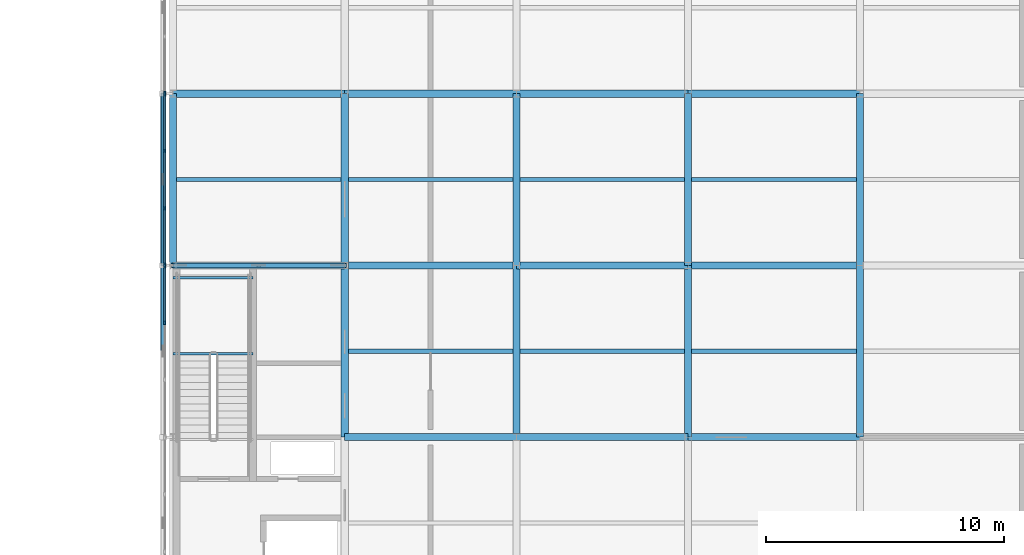
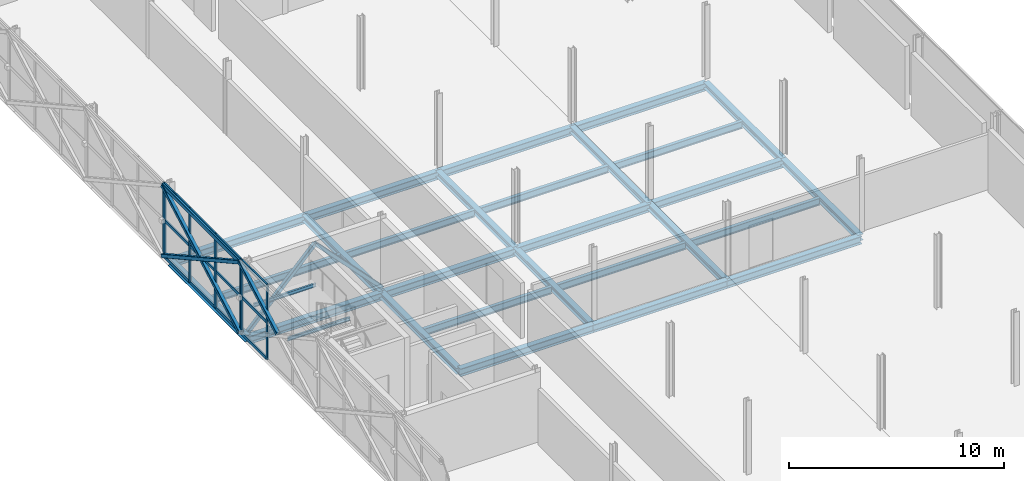
# One storey, part 71 of 146: 29 beams, 26 members, 3 elements without a shape of their own.
"""IFC4 building model written with IfcOpenShell, lengths in metres."""

from ifc_helpers import new_model, si_unit, direction, frame, origin, origin_2d, place, context, subcontext, project, spatial, rectangle, hollow_rectangle, i_section, extrude, material, material_profile, profile_set, type_object, element, aggregate, save


model = new_model("IFC4")

# Units and contexts
model_context = context("Model", 3, precision=1e-05, world=origin(), true_north=direction((0.0, 1.0)))
body_context = subcontext(model_context, "Body", "Model", "MODEL_VIEW")
ifc_project = project(units=[si_unit("LENGTHUNIT", "METRE"), si_unit("AREAUNIT", "SQUARE_METRE"), si_unit("VOLUMEUNIT", "CUBIC_METRE"), si_unit("PLANEANGLEUNIT", "RADIAN"), si_unit("MASSUNIT", "GRAM", prefix="KILO")], contexts=[model_context])

# Site, building, storey
site_placement = place(None, origin())
site = spatial("IfcSite", under=ifc_project, at=site_placement, CompositionType="ELEMENT")
building_placement = place(site_placement, origin())
building = spatial("IfcBuilding", under=site, at=building_placement, Name="Zlatovets Crest Museum", CompositionType="ELEMENT")
storey_placement = place(building_placement, frame((0.0, 0.0, 4.5)))
storey = spatial("IfcBuildingStorey", under=building, at=storey_placement, Name="L01", CompositionType="ELEMENT", Elevation=4.5)

# Beams
ifc_material_1 = material(Name="Structural steel S355J2", Category="steel")
ifc_material_profile_1 = material_profile(ifc_material_1, i_section(OverallWidth=0.300048828125, OverallDepth=0.35009765625, WebThickness=0.010009765625, FlangeThickness=0.017578125, FilletRadius=0.027099609375, at=origin_2d()), Name="HEA 360")
ifc_profile_set_1 = profile_set([ifc_material_profile_1], Name="Structural steel S355J2")
beam_type_1 = type_object("IfcBeamType", Name="Beam_B-03", PredefinedType="BEAM", material=ifc_profile_set_1)
beam_1_placement = place(storey_placement, frame((129.60009765625, 50.39990234375, -0.39501953125), z_axis=(0.0, 1.0, 0.0), x_axis=(-1.0, 0.0, 0.0)))
element("IfcBeam", 1, at=beam_1_placement, inside=storey, type_object=beam_type_1, Name="V5 L01 Grid Beam B-03", PredefinedType="BEAM", context=body_context, shape_type="SweptSolid", body=[
    extrude(i_section(OverallWidth=0.300048828125, OverallDepth=0.35009765625, WebThickness=0.010009765625, FlangeThickness=0.017578125, FilletRadius=0.027099609375, at=origin_2d()), origin(), (0.0, 0.0, 1.0), 7.2001953125),
])
beam_2_placement = place(storey_placement, frame((136.800048828125, 43.199951171875, -0.39501953125), z_axis=(0.0, 1.0, 0.0), x_axis=(-1.0, 0.0, 0.0)))
element("IfcBeam", 2, at=beam_2_placement, inside=storey, type_object=beam_type_1, Name="V5 L01 Grid Beam B-03", PredefinedType="BEAM", context=body_context, shape_type="SweptSolid", body=[
    extrude(i_section(OverallWidth=0.300048828125, OverallDepth=0.35009765625, WebThickness=0.010009765625, FlangeThickness=0.017578125, FilletRadius=0.027099609375, at=origin_2d()), origin(), (0.0, 0.0, 1.0), 7.199951171875),
])
beam_3_placement = place(storey_placement, frame((136.800048828125, 50.39990234375, -0.39501953125), z_axis=(0.0, 1.0, 0.0), x_axis=(-1.0, 0.0, 0.0)))
element("IfcBeam", 3, at=beam_3_placement, inside=storey, type_object=beam_type_1, Name="V5 L01 Grid Beam B-03", PredefinedType="BEAM", context=body_context, shape_type="SweptSolid", body=[
    extrude(i_section(OverallWidth=0.300048828125, OverallDepth=0.35009765625, WebThickness=0.010009765625, FlangeThickness=0.017578125, FilletRadius=0.027099609375, at=origin_2d()), origin(), (0.0, 0.0, 1.0), 7.2001953125),
])
beam_4_placement = place(storey_placement, frame((144.0, 43.199951171875, -0.39501953125), z_axis=(0.0, 1.0, 0.0), x_axis=(-1.0, 0.0, 0.0)))
element("IfcBeam", 4, at=beam_4_placement, inside=storey, type_object=beam_type_1, Name="V5 L01 Grid Beam B-03", PredefinedType="BEAM", context=body_context, shape_type="SweptSolid", body=[
    extrude(i_section(OverallWidth=0.300048828125, OverallDepth=0.35009765625, WebThickness=0.010009765625, FlangeThickness=0.017578125, FilletRadius=0.027099609375, at=origin_2d()), origin(), (0.0, 0.0, 1.0), 7.199951171875),
])
beam_5_placement = place(storey_placement, frame((144.0, 50.39990234375, -0.39501953125), z_axis=(0.0, 1.0, 0.0), x_axis=(-1.0, 0.0, 0.0)))
element("IfcBeam", 5, at=beam_5_placement, inside=storey, type_object=beam_type_1, Name="V5 L01 Grid Beam B-03", PredefinedType="BEAM", context=body_context, shape_type="SweptSolid", body=[
    extrude(i_section(OverallWidth=0.300048828125, OverallDepth=0.35009765625, WebThickness=0.010009765625, FlangeThickness=0.017578125, FilletRadius=0.027099609375, at=origin_2d()), origin(), (0.0, 0.0, 1.0), 7.2001953125),
])
beam_6_placement = place(storey_placement, frame((151.199951171875, 43.199951171875, -0.39501953125), z_axis=(0.0, 1.0, 0.0), x_axis=(-1.0, 0.0, 0.0)))
element("IfcBeam", 6, at=beam_6_placement, inside=storey, type_object=beam_type_1, Name="V5 L01 Grid Beam B-03", PredefinedType="BEAM", context=body_context, shape_type="SweptSolid", body=[
    extrude(i_section(OverallWidth=0.300048828125, OverallDepth=0.35009765625, WebThickness=0.010009765625, FlangeThickness=0.017578125, FilletRadius=0.027099609375, at=origin_2d()), origin(), (0.0, 0.0, 1.0), 7.199951171875),
])
beam_7_placement = place(storey_placement, frame((151.199951171875, 50.39990234375, -0.39501953125), z_axis=(0.0, 1.0, 0.0), x_axis=(-1.0, 0.0, 0.0)))
element("IfcBeam", 7, at=beam_7_placement, inside=storey, type_object=beam_type_1, Name="V5 L01 Grid Beam B-03", PredefinedType="BEAM", context=body_context, shape_type="SweptSolid", body=[
    extrude(i_section(OverallWidth=0.300048828125, OverallDepth=0.35009765625, WebThickness=0.010009765625, FlangeThickness=0.017578125, FilletRadius=0.027099609375, at=origin_2d()), origin(), (0.0, 0.0, 1.0), 7.2001953125),
])
beam_8_placement = place(storey_placement, frame((158.39990234375, 43.199951171875, -0.39501953125), z_axis=(0.0, 1.0, 0.0), x_axis=(-1.0, 0.0, 0.0)))
element("IfcBeam", 8, at=beam_8_placement, inside=storey, type_object=beam_type_1, Name="V5 L01 Grid Beam B-03", PredefinedType="BEAM", context=body_context, shape_type="SweptSolid", body=[
    extrude(i_section(OverallWidth=0.300048828125, OverallDepth=0.35009765625, WebThickness=0.010009765625, FlangeThickness=0.017578125, FilletRadius=0.027099609375, at=origin_2d()), origin(), (0.0, 0.0, 1.0), 7.199951171875),
])
beam_9_placement = place(storey_placement, frame((158.39990234375, 50.39990234375, -0.39501953125), z_axis=(0.0, 1.0, 0.0), x_axis=(-1.0, 0.0, 0.0)))
element("IfcBeam", 9, at=beam_9_placement, inside=storey, type_object=beam_type_1, Name="V5 L01 Grid Beam B-03", PredefinedType="BEAM", context=body_context, shape_type="SweptSolid", body=[
    extrude(i_section(OverallWidth=0.300048828125, OverallDepth=0.35009765625, WebThickness=0.010009765625, FlangeThickness=0.017578125, FilletRadius=0.027099609375, at=origin_2d()), origin(), (0.0, 0.0, 1.0), 7.2001953125),
])
ifc_material_profile_2 = material_profile(ifc_material_1, i_section(OverallWidth=0.300048828125, OverallDepth=0.43994140625, WebThickness=0.011474609375, FlangeThickness=0.02099609375, FilletRadius=0.027099609375, at=origin_2d()), Name="HEA 450")
ifc_profile_set_2 = profile_set([ifc_material_profile_2], Name="Structural steel S355J2")
beam_type_2 = type_object("IfcBeamType", Name="Beam_B-10", PredefinedType="BEAM", material=ifc_profile_set_2)
for number, where, z_axis, x_axis, name in (
    (10, (136.800048828125, 43.199951171875, -0.43994140625), (1.0, 0.0, 0.0), (0.0, 1.0, 0.0), "V5 L01 Primary Girder B-10"),
    (11, (144.0, 43.199951171875, -0.43994140625), (1.0, 0.0, 0.0), (0.0, 1.0, 0.0), "V5 L01 Primary Girder B-10"),
    (12, (151.199951171875, 43.199951171875, -0.43994140625), (1.0, 0.0, 0.0), (0.0, 1.0, 0.0), "V5 L01 Primary Girder B-10"),
    (13, (129.60009765625, 50.39990234375, -0.43994140625), (1.0, 0.0, 0.0), (0.0, 1.0, 0.0), "V5 L01 Primary Girder B-10"),
    (14, (136.800048828125, 50.39990234375, -0.43994140625), (1.0, 0.0, 0.0), (0.0, 1.0, 0.0), "V5 L01 Primary Girder B-10"),
    (15, (144.0, 50.39990234375, -0.43994140625), (1.0, 0.0, 0.0), (0.0, 1.0, 0.0), "V5 L01 Primary Girder B-10"),
    (16, (151.199951171875, 50.39990234375, -0.43994140625), (1.0, 0.0, 0.0), (0.0, 1.0, 0.0), "V5 L01 Primary Girder B-10"),
    (17, (129.60009765625, 57.60009765625, -0.43994140625), (1.0, 0.0, 0.0), (0.0, 1.0, 0.0), "V5 L01 Primary Girder B-10"),
    (18, (136.800048828125, 57.60009765625, -0.43994140625), (1.0, 0.0, 0.0), (0.0, 1.0, 0.0), "V5 L01 Primary Girder B-10"),
    (19, (144.0, 57.60009765625, -0.43994140625), (1.0, 0.0, 0.0), (0.0, 1.0, 0.0), "V5 L01 Primary Girder B-10"),
    (20, (151.199951171875, 57.60009765625, -0.43994140625), (1.0, 0.0, 0.0), (0.0, 1.0, 0.0), "V5 L01 Primary Girder B-10"),
):
    element("IfcBeam", number, at=place(storey_placement, frame(where, z_axis=z_axis, x_axis=x_axis)), inside=storey, type_object=beam_type_2, Name=name, PredefinedType="BEAM", context=body_context, shape_type="SweptSolid", body=[
        extrude(i_section(OverallWidth=0.300048828125, OverallDepth=0.43994140625, WebThickness=0.011474609375, FlangeThickness=0.02099609375, FilletRadius=0.027099609375, at=origin_2d()), origin(), (0.0, 0.0, 1.0), 7.199951171875),
    ])
ifc_material_profile_3 = material_profile(ifc_material_1, i_section(OverallWidth=0.179931640625, OverallDepth=0.39990234375, WebThickness=0.008544921875, FlangeThickness=0.013427734375, FilletRadius=0.02099609375, at=origin_2d()), Name="IPE 400")
ifc_profile_set_3 = profile_set([ifc_material_profile_3], Name="Structural steel S355J2")
beam_type_3 = type_object("IfcBeamType", Name="Beam_J-04", PredefinedType="JOIST", material=ifc_profile_set_3)
beam_10_placement = place(storey_placement, frame((129.75, 54.0, -0.419921875), z_axis=(1.0, 0.0, 0.0), x_axis=(0.0, 1.0, 0.0)))
element("IfcBeam", 21, at=beam_10_placement, inside=storey, type_object=beam_type_3, Name="V5 L01 Composite Joist J-04", PredefinedType="JOIST", context=body_context, shape_type="SweptSolid", body=[
    extrude(i_section(OverallWidth=0.179931640625, OverallDepth=0.39990234375, WebThickness=0.008544921875, FlangeThickness=0.013427734375, FilletRadius=0.02099609375, at=origin_2d()), origin(), (0.0, 0.0, 1.0), 6.89990234375),
])
for number, where, z_axis, x_axis, name in (
    (22, (136.949951171875, 46.800048828125, -0.419921875), (1.0, 0.0, 0.0), (0.0, 1.0, 0.0), "V5 L01 Composite Joist J-04"),
    (23, (136.949951171875, 54.0, -0.419921875), (1.0, 0.0, 0.0), (0.0, 1.0, 0.0), "V5 L01 Composite Joist J-04"),
    (24, (144.14990234375, 46.800048828125, -0.419921875), (1.0, 0.0, 0.0), (0.0, 1.0, 0.0), "V5 L01 Composite Joist J-04"),
    (25, (144.14990234375, 54.0, -0.419921875), (1.0, 0.0, 0.0), (0.0, 1.0, 0.0), "V5 L01 Composite Joist J-04"),
):
    element("IfcBeam", number, at=place(storey_placement, frame(where, z_axis=z_axis, x_axis=x_axis)), inside=storey, type_object=beam_type_3, Name=name, PredefinedType="JOIST", context=body_context, shape_type="SweptSolid", body=[
        extrude(i_section(OverallWidth=0.179931640625, OverallDepth=0.39990234375, WebThickness=0.008544921875, FlangeThickness=0.013427734375, FilletRadius=0.02099609375, at=origin_2d()), origin(), (0.0, 0.0, 1.0), 6.900146484375),
    ])
for number, where, z_axis, x_axis, name in (
    (26, (151.35009765625, 46.800048828125, -0.419921875), (1.0, 0.0, 0.0), (0.0, 1.0, 0.0), "V5 L01 Composite Joist J-04"),
    (27, (151.35009765625, 54.0, -0.419921875), (1.0, 0.0, 0.0), (0.0, 1.0, 0.0), "V5 L01 Composite Joist J-04"),
):
    element("IfcBeam", number, at=place(storey_placement, frame(where, z_axis=z_axis, x_axis=x_axis)), inside=storey, type_object=beam_type_3, Name=name, PredefinedType="JOIST", context=body_context, shape_type="SweptSolid", body=[
        extrude(i_section(OverallWidth=0.179931640625, OverallDepth=0.39990234375, WebThickness=0.008544921875, FlangeThickness=0.013427734375, FilletRadius=0.02099609375, at=origin_2d()), origin(), (0.0, 0.0, 1.0), 6.89990234375),
    ])
ifc_material_profile_4 = material_profile(ifc_material_1, i_section(OverallWidth=0.10009765625, OverallDepth=0.199951171875, WebThickness=0.005615234375, FlangeThickness=0.008544921875, FilletRadius=0.011962890625, at=origin_2d()), Name="IPE 200")
ifc_profile_set_4 = profile_set([ifc_material_profile_4], Name="Structural steel S355J2")
beam_type_4 = type_object("IfcBeamType", Name="Beam_PR-02", PredefinedType="LINTEL", material=ifc_profile_set_4)
for number, where, z_axis, x_axis, name in (
    (28, (129.60009765625, 46.699951171875, 1.800048828125), (1.0, 0.0, 0.0), (0.0, 1.0, 0.0), "Core C5 L01 Half-Landing Support Beam"),
    (29, (129.60009765625, 49.8798828125, 1.800048828125), (1.0, 0.0, 0.0), (0.0, 1.0, 0.0), "Core C5 L01 Half-Landing Support Beam"),
):
    element("IfcBeam", number, at=place(storey_placement, frame(where, z_axis=z_axis, x_axis=x_axis)), inside=storey, type_object=beam_type_4, Name=name, PredefinedType="LINTEL", context=body_context, shape_type="SweptSolid", body=[
        extrude(i_section(OverallWidth=0.10009765625, OverallDepth=0.199951171875, WebThickness=0.005615234375, FlangeThickness=0.008544921875, FilletRadius=0.011962890625, at=origin_2d()), origin(), (0.0, 0.0, 1.0), 3.349853515625),
    ])

# Curtain wall, member
ifc_material_2 = material(Name="Bronze-anodised aluminium and low-E triple glass", Category="aluminium")
curtain_wall_type_1 = type_object("IfcCurtainWallType", Name="CW_CW-V5-L01-M3", PredefinedType="NOTDEFINED", material=ifc_material_2)
curtain_wall_1_placement = place(storey_placement, origin())
curtain_wall_1 = element("IfcCurtainWall", 30, at=curtain_wall_1_placement, inside=storey, type_object=curtain_wall_type_1, Name="V5 L01 Secession Foyer Clear Curtain Wall", PredefinedType="NOTDEFINED")
ifc_material_3 = material(Name="Bronze-anodised aluminium EN AW-6060", Category="aluminium")
ifc_material_profile_5 = material_profile(ifc_material_3, rectangle(XDim=0.080078125, YDim=0.159912109375, at=origin_2d()), Name="ALU 80x160")
ifc_profile_set_5 = profile_set([ifc_material_profile_5], Name="Bronze-anodised aluminium EN AW-6060")
member_type_1 = type_object("IfcMemberType", Name="CWMull_M1", PredefinedType="MULLION", material=ifc_profile_set_5)
member_1_placement = place(storey_placement, frame((129.260009765625, 57.6298828125, 0.0), z_axis=(0.0, 0.0, 1.0), x_axis=(1.0, 0.0, 0.0)))
member_1 = element("IfcMember", 31, at=member_1_placement, type_object=member_type_1, Name="CW-V5-L01-M3 mullion 4", PredefinedType="MULLION", context=body_context, shape_type="SweptSolid", body=[
    extrude(rectangle(XDim=0.080078125, YDim=0.159912109375, at=origin_2d()), origin(), (0.0, 0.0, 1.0), 4.199951171875),
])
aggregate(curtain_wall_1, [member_1])

# Curtain wall, members
curtain_wall_type_2 = type_object("IfcCurtainWallType", Name="CW_CW-V5-L01-M0", PredefinedType="NOTDEFINED", material=ifc_material_2)
curtain_wall_2_placement = place(storey_placement, origin())
curtain_wall_2 = element("IfcCurtainWall", 32, at=curtain_wall_2_placement, inside=storey, type_object=curtain_wall_type_2, Name="V5 L01 Secession Foyer Clear Curtain Wall", PredefinedType="NOTDEFINED")
member_2_placement = place(storey_placement, frame((129.260009765625, 57.570068359375, 0.0), z_axis=(0.0, 0.0, 1.0), x_axis=(1.0, 0.0, 0.0)))
member_2 = element("IfcMember", 33, at=member_2_placement, type_object=member_type_1, Name="CW-V5-L01-M0 mullion 1", PredefinedType="MULLION", context=body_context, shape_type="SweptSolid", body=[
    extrude(rectangle(XDim=0.080078125, YDim=0.159912109375, at=origin_2d()), origin(), (0.0, 0.0, 1.0), 4.199951171875),
])
member_3_placement = place(storey_placement, frame((129.260009765625, 55.199951171875, 0.0), z_axis=(0.0, 0.0, 1.0), x_axis=(1.0, 0.0, 0.0)))
member_3 = element("IfcMember", 34, at=member_3_placement, type_object=member_type_1, Name="CW-V5-L01-M0 mullion 2", PredefinedType="MULLION", context=body_context, shape_type="SweptSolid", body=[
    extrude(rectangle(XDim=0.080078125, YDim=0.159912109375, at=origin_2d()), origin(), (0.0, 0.0, 1.0), 4.199951171875),
])
member_4_placement = place(storey_placement, frame((129.260009765625, 52.800048828125, 0.0), z_axis=(0.0, 0.0, 1.0), x_axis=(1.0, 0.0, 0.0)))
member_4 = element("IfcMember", 35, at=member_4_placement, type_object=member_type_1, Name="CW-V5-L01-M0 mullion 3", PredefinedType="MULLION", context=body_context, shape_type="SweptSolid", body=[
    extrude(rectangle(XDim=0.080078125, YDim=0.159912109375, at=origin_2d()), origin(), (0.0, 0.0, 1.0), 4.199951171875),
])
member_5_placement = place(storey_placement, frame((129.260009765625, 50.429931640625, 0.0), z_axis=(0.0, 0.0, 1.0), x_axis=(1.0, 0.0, 0.0)))
member_5 = element("IfcMember", 36, at=member_5_placement, type_object=member_type_1, Name="CW-V5-L01-M0 mullion 4", PredefinedType="MULLION", context=body_context, shape_type="SweptSolid", body=[
    extrude(rectangle(XDim=0.080078125, YDim=0.159912109375, at=origin_2d()), origin(), (0.0, 0.0, 1.0), 4.199951171875),
])

curtain_wall_type_3 = type_object("IfcCurtainWallType", Name="CW_CW-V5-L01-M1", PredefinedType="NOTDEFINED", material=ifc_material_2)
curtain_wall_3_placement = place(storey_placement, origin())
curtain_wall_3 = element("IfcCurtainWall", 37, at=curtain_wall_3_placement, inside=storey, type_object=curtain_wall_type_3, Name="V5 L01 Expressed Core Glazed Facade", PredefinedType="NOTDEFINED")
member_6_placement = place(storey_placement, frame((129.260009765625, 50.3701171875, 0.0), z_axis=(0.0, 0.0, 1.0), x_axis=(1.0, 0.0, 0.0)))
member_6 = element("IfcMember", 38, at=member_6_placement, type_object=member_type_1, Name="CW-V5-L01-M1 mullion 1", PredefinedType="MULLION", context=body_context, shape_type="SweptSolid", body=[
    extrude(rectangle(XDim=0.080078125, YDim=0.159912109375, at=origin_2d()), origin(), (0.0, 0.0, 1.0), 4.199951171875),
])
member_7_placement = place(storey_placement, frame((129.260009765625, 48.0, 0.0), z_axis=(0.0, 0.0, 1.0), x_axis=(1.0, 0.0, 0.0)))
member_7 = element("IfcMember", 39, at=member_7_placement, type_object=member_type_1, Name="CW-V5-L01-M1 mullion 2", PredefinedType="MULLION", context=body_context, shape_type="SweptSolid", body=[
    extrude(rectangle(XDim=0.080078125, YDim=0.159912109375, at=origin_2d()), origin(), (0.0, 0.0, 1.0), 4.199951171875),
])

# Member
ifc_material_profile_6 = material_profile(ifc_material_3, rectangle(XDim=0.080078125, YDim=0.159912109375, at=origin_2d()), Name="ALU 80x160")
ifc_profile_set_6 = profile_set([ifc_material_profile_6], Name="Bronze-anodised aluminium EN AW-6060")
member_type_2 = type_object("IfcMemberType", Name="CWTrans_T1", PredefinedType="USERDEFINED", material=ifc_profile_set_6)
member_8_placement = place(storey_placement, frame((129.260009765625, 57.5400390625, 0.030029296875), z_axis=(0.0, -1.0, 0.0), x_axis=(1.0, 0.0, 0.0)))
member_8 = element("IfcMember", 40, at=member_8_placement, type_object=member_type_2, Name="CW-V5-L01-M0 transom 1.1", ObjectType="TRANSOM", PredefinedType="USERDEFINED", context=body_context, shape_type="SweptSolid", body=[
    extrude(rectangle(XDim=0.080078125, YDim=0.159912109375, at=origin_2d()), origin(), (0.0, 0.0, 1.0), 2.31005859375),
])

member_9_placement = place(storey_placement, frame((129.260009765625, 57.5400390625, 2.10009765625), z_axis=(0.0, -1.0, 0.0), x_axis=(1.0, 0.0, 0.0)))
member_9 = element("IfcMember", 41, at=member_9_placement, type_object=member_type_2, Name="CW-V5-L01-M0 transom 1.2", ObjectType="TRANSOM", PredefinedType="USERDEFINED", context=body_context, shape_type="SweptSolid", body=[
    extrude(rectangle(XDim=0.080078125, YDim=0.159912109375, at=origin_2d()), origin(), (0.0, 0.0, 1.0), 2.31005859375),
])

member_10_placement = place(storey_placement, frame((129.260009765625, 57.5400390625, 4.169921875), z_axis=(0.0, -1.0, 0.0), x_axis=(1.0, 0.0, 0.0)))
member_10 = element("IfcMember", 42, at=member_10_placement, type_object=member_type_2, Name="CW-V5-L01-M0 transom 1.3", ObjectType="TRANSOM", PredefinedType="USERDEFINED", context=body_context, shape_type="SweptSolid", body=[
    extrude(rectangle(XDim=0.080078125, YDim=0.159912109375, at=origin_2d()), origin(), (0.0, 0.0, 1.0), 2.31005859375),
])

member_11_placement = place(storey_placement, frame((129.260009765625, 55.169921875, 0.030029296875), z_axis=(0.0, -1.0, 0.0), x_axis=(1.0, 0.0, 0.0)))
member_11 = element("IfcMember", 43, at=member_11_placement, type_object=member_type_2, Name="CW-V5-L01-M0 transom 2.1", ObjectType="TRANSOM", PredefinedType="USERDEFINED", context=body_context, shape_type="SweptSolid", body=[
    extrude(rectangle(XDim=0.080078125, YDim=0.159912109375, at=origin_2d()), origin(), (0.0, 0.0, 1.0), 2.33984375),
])

member_12_placement = place(storey_placement, frame((129.260009765625, 55.169921875, 2.10009765625), z_axis=(0.0, -1.0, 0.0), x_axis=(1.0, 0.0, 0.0)))
member_12 = element("IfcMember", 44, at=member_12_placement, type_object=member_type_2, Name="CW-V5-L01-M0 transom 2.2", ObjectType="TRANSOM", PredefinedType="USERDEFINED", context=body_context, shape_type="SweptSolid", body=[
    extrude(rectangle(XDim=0.080078125, YDim=0.159912109375, at=origin_2d()), origin(), (0.0, 0.0, 1.0), 2.33984375),
])

member_13_placement = place(storey_placement, frame((129.260009765625, 55.169921875, 4.169921875), z_axis=(0.0, -1.0, 0.0), x_axis=(1.0, 0.0, 0.0)))
member_13 = element("IfcMember", 45, at=member_13_placement, type_object=member_type_2, Name="CW-V5-L01-M0 transom 2.3", ObjectType="TRANSOM", PredefinedType="USERDEFINED", context=body_context, shape_type="SweptSolid", body=[
    extrude(rectangle(XDim=0.080078125, YDim=0.159912109375, at=origin_2d()), origin(), (0.0, 0.0, 1.0), 2.33984375),
])

member_14_placement = place(storey_placement, frame((129.260009765625, 52.77001953125, 0.030029296875), z_axis=(0.0, -1.0, 0.0), x_axis=(1.0, 0.0, 0.0)))
member_14 = element("IfcMember", 46, at=member_14_placement, type_object=member_type_2, Name="CW-V5-L01-M0 transom 3.1", ObjectType="TRANSOM", PredefinedType="USERDEFINED", context=body_context, shape_type="SweptSolid", body=[
    extrude(rectangle(XDim=0.080078125, YDim=0.159912109375, at=origin_2d()), origin(), (0.0, 0.0, 1.0), 2.31005859375),
])

member_15_placement = place(storey_placement, frame((129.260009765625, 52.77001953125, 2.10009765625), z_axis=(0.0, -1.0, 0.0), x_axis=(1.0, 0.0, 0.0)))
member_15 = element("IfcMember", 47, at=member_15_placement, type_object=member_type_2, Name="CW-V5-L01-M0 transom 3.2", ObjectType="TRANSOM", PredefinedType="USERDEFINED", context=body_context, shape_type="SweptSolid", body=[
    extrude(rectangle(XDim=0.080078125, YDim=0.159912109375, at=origin_2d()), origin(), (0.0, 0.0, 1.0), 2.31005859375),
])

member_16_placement = place(storey_placement, frame((129.260009765625, 52.77001953125, 4.169921875), z_axis=(0.0, -1.0, 0.0), x_axis=(1.0, 0.0, 0.0)))
member_16 = element("IfcMember", 48, at=member_16_placement, type_object=member_type_2, Name="CW-V5-L01-M0 transom 3.3", ObjectType="TRANSOM", PredefinedType="USERDEFINED", context=body_context, shape_type="SweptSolid", body=[
    extrude(rectangle(XDim=0.080078125, YDim=0.159912109375, at=origin_2d()), origin(), (0.0, 0.0, 1.0), 2.31005859375),
])

aggregate(curtain_wall_2, [member_2, member_3, member_4, member_5, member_8, member_9, member_10, member_11, member_12, member_13, member_14, member_15, member_16])

member_17_placement = place(storey_placement, frame((129.260009765625, 50.340087890625, 0.030029296875), z_axis=(0.0, -1.0, 0.0), x_axis=(1.0, 0.0, 0.0)))
member_17 = element("IfcMember", 49, at=member_17_placement, type_object=member_type_2, Name="CW-V5-L01-M1 transom 1.1", ObjectType="TRANSOM", PredefinedType="USERDEFINED", context=body_context, shape_type="SweptSolid", body=[
    extrude(rectangle(XDim=0.080078125, YDim=0.159912109375, at=origin_2d()), origin(), (0.0, 0.0, 1.0), 2.31005859375),
])

member_18_placement = place(storey_placement, frame((129.260009765625, 50.340087890625, 2.10009765625), z_axis=(0.0, -1.0, 0.0), x_axis=(1.0, 0.0, 0.0)))
member_18 = element("IfcMember", 50, at=member_18_placement, type_object=member_type_2, Name="CW-V5-L01-M1 transom 1.2", ObjectType="TRANSOM", PredefinedType="USERDEFINED", context=body_context, shape_type="SweptSolid", body=[
    extrude(rectangle(XDim=0.080078125, YDim=0.159912109375, at=origin_2d()), origin(), (0.0, 0.0, 1.0), 2.31005859375),
])

member_19_placement = place(storey_placement, frame((129.260009765625, 50.340087890625, 4.169921875), z_axis=(0.0, -1.0, 0.0), x_axis=(1.0, 0.0, 0.0)))
member_19 = element("IfcMember", 51, at=member_19_placement, type_object=member_type_2, Name="CW-V5-L01-M1 transom 1.3", ObjectType="TRANSOM", PredefinedType="USERDEFINED", context=body_context, shape_type="SweptSolid", body=[
    extrude(rectangle(XDim=0.080078125, YDim=0.159912109375, at=origin_2d()), origin(), (0.0, 0.0, 1.0), 2.31005859375),
])

aggregate(curtain_wall_3, [member_6, member_7, member_17, member_18, member_19])

# Members
ifc_material_4 = material(Name="Weathering bronze-steel S355J2W", Category="steel")
ifc_material_profile_7 = material_profile(ifc_material_4, hollow_rectangle(XDim=0.199951171875, YDim=0.199951171875, WallThickness=0.012451171875, InnerFilletRadius=0.012451171875, OuterFilletRadius=0.02490234375, at=origin_2d()), Name="SHS 200x200x12.5")
ifc_profile_set_7 = profile_set([ifc_material_profile_7], Name="Weathering bronze-steel S355J2W")
member_type_3 = type_object("IfcMemberType", Name="Lattice_XL-02", PredefinedType="BRACE", material=ifc_profile_set_7)
member_20_placement = place(storey_placement, frame((129.179931640625, 57.60009765625, 0.10009765625), z_axis=(0.0, -0.874162868644, 0.485632864501), x_axis=(1.0, 0.0, 0.0)))
element("IfcMember", 52, at=member_20_placement, inside=storey, type_object=member_type_3, Name="Continuous Bronze Lattice Diagonal", PredefinedType="BRACE", context=body_context, shape_type="SweptSolid", body=[
    extrude(hollow_rectangle(XDim=0.199951171875, YDim=0.199951171875, WallThickness=0.012451171875, InnerFilletRadius=0.012451171875, OuterFilletRadius=0.02490234375, at=origin_2d()), origin(), (0.0, 0.0, 1.0), 8.236572265625),
])
for number, where, z_axis, x_axis, name in (
    (53, (129.179931640625, 57.60009765625, 4.10009765625), (0.0, -0.874140102304, -0.485673842763), (1.0, 0.0, 0.0), "Split Crossing Bronze Lattice Diagonal Upper"),
    (54, (129.179931640625, 53.9169921875, 2.053955078125), (0.0, -0.874165862873, -0.485627474703), (1.0, 0.0, 0.0), "Split Crossing Bronze Lattice Diagonal Lower"),
):
    element("IfcMember", number, at=place(storey_placement, frame(where, z_axis=z_axis, x_axis=x_axis)), inside=storey, type_object=member_type_3, Name=name, PredefinedType="BRACE", context=body_context, shape_type="SweptSolid", body=[
        extrude(hollow_rectangle(XDim=0.199951171875, YDim=0.199951171875, WallThickness=0.012451171875, InnerFilletRadius=0.012451171875, OuterFilletRadius=0.02490234375, at=origin_2d()), origin(), (0.0, 0.0, 1.0), 4.0234375),
    ])
member_21_placement = place(storey_placement, frame((129.179931640625, 50.39990234375, 4.10009765625), z_axis=(0.0, -0.874125788284, -0.485699604958), x_axis=(1.0, 0.0, 0.0)))
element("IfcMember", 55, at=member_21_placement, inside=storey, type_object=member_type_3, Name="Split Crossing Bronze Lattice Diagonal Upper", PredefinedType="BRACE", context=body_context, shape_type="SweptSolid", body=[
    extrude(hollow_rectangle(XDim=0.199951171875, YDim=0.199951171875, WallThickness=0.012451171875, InnerFilletRadius=0.012451171875, OuterFilletRadius=0.02490234375, at=origin_2d()), origin(), (0.0, 0.0, 1.0), 4.023193359375),
])
ifc_material_profile_8 = material_profile(ifc_material_4, hollow_rectangle(XDim=0.1201171875, YDim=0.239990234375, WallThickness=0.010009765625, InnerFilletRadius=0.010009765625, OuterFilletRadius=0.02001953125, at=origin_2d()), Name="RHS 120x240x10.0")
ifc_profile_set_8 = profile_set([ifc_material_profile_8], Name="Weathering bronze-steel S355J2W")
member_type_4 = type_object("IfcMemberType", Name="Lattice_XL-04", PredefinedType="CHORD", material=ifc_profile_set_8)
member_22_placement = place(storey_placement, frame((129.179931640625, 57.60009765625, 4.10009765625), z_axis=(0.0, -1.0, 0.0), x_axis=(1.0, 0.0, 0.0)))
element("IfcMember", 56, at=member_22_placement, inside=storey, type_object=member_type_4, Name="Art Nouveau Woven Cage Collector Ring Chord", PredefinedType="CHORD", context=body_context, shape_type="SweptSolid", body=[
    extrude(hollow_rectangle(XDim=0.1201171875, YDim=0.239990234375, WallThickness=0.010009765625, InnerFilletRadius=0.010009765625, OuterFilletRadius=0.02001953125, at=origin_2d()), origin(), (0.0, 0.0, 1.0), 7.2001953125),
])
ifc_material_profile_9 = material_profile(ifc_material_1, hollow_rectangle(XDim=0.199951171875, YDim=0.199951171875, WallThickness=0.012451171875, InnerFilletRadius=0.012451171875, OuterFilletRadius=0.02490234375, at=origin_2d()), Name="SHS 200x200x12.5")
ifc_profile_set_9 = profile_set([ifc_material_profile_9], Name="Structural steel S355J2")
member_type_5 = type_object("IfcMemberType", Name="Member_BR-01", PredefinedType="BRACE", material=ifc_profile_set_9)
member_23_placement = place(storey_placement, frame((129.60009765625, 50.39990234375, 0.0), z_axis=(0.692517163318, 0.0, 0.721401399021), x_axis=(0.0, 1.0, 0.0)))
element("IfcMember", 57, at=member_23_placement, inside=storey, type_object=member_type_5, Name="V5 L01 Concentric Seismic Brace", PredefinedType="BRACE", context=body_context, shape_type="SweptSolid", body=[
    extrude(hollow_rectangle(XDim=0.199951171875, YDim=0.199951171875, WallThickness=0.012451171875, InnerFilletRadius=0.012451171875, OuterFilletRadius=0.02490234375, at=origin_2d()), origin(), (0.0, 0.0, 1.0), 5.1982421875),
])
member_24_placement = place(storey_placement, frame((136.800048828125, 50.39990234375, 0.0), z_axis=(-0.692541604294, 0.0, 0.721377935844), x_axis=(0.0, -1.0, 0.0)))
element("IfcMember", 58, at=member_24_placement, inside=storey, type_object=member_type_5, Name="V5 L01 Concentric Seismic Brace", PredefinedType="BRACE", context=body_context, shape_type="SweptSolid", body=[
    extrude(hollow_rectangle(XDim=0.199951171875, YDim=0.199951171875, WallThickness=0.012451171875, InnerFilletRadius=0.012451171875, OuterFilletRadius=0.02490234375, at=origin_2d()), origin(), (0.0, 0.0, 1.0), 5.198486328125),
])

save(model, "model.ifc")
